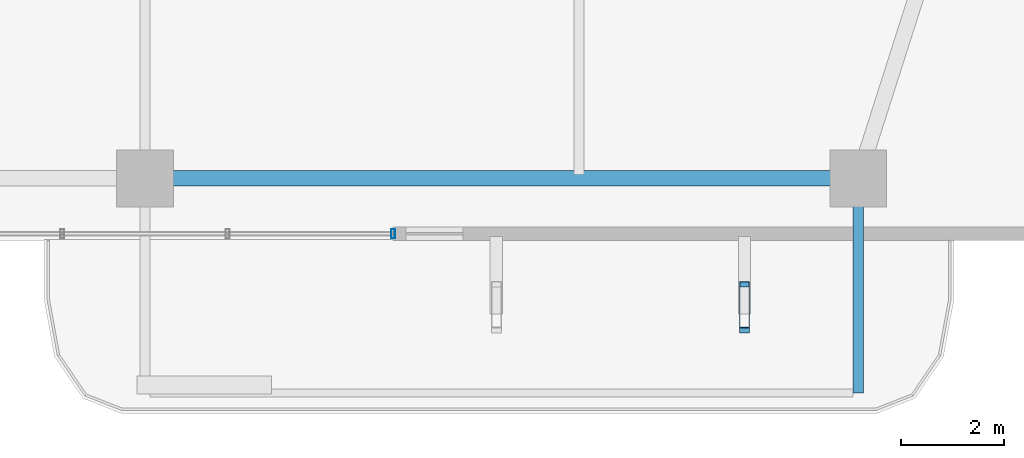
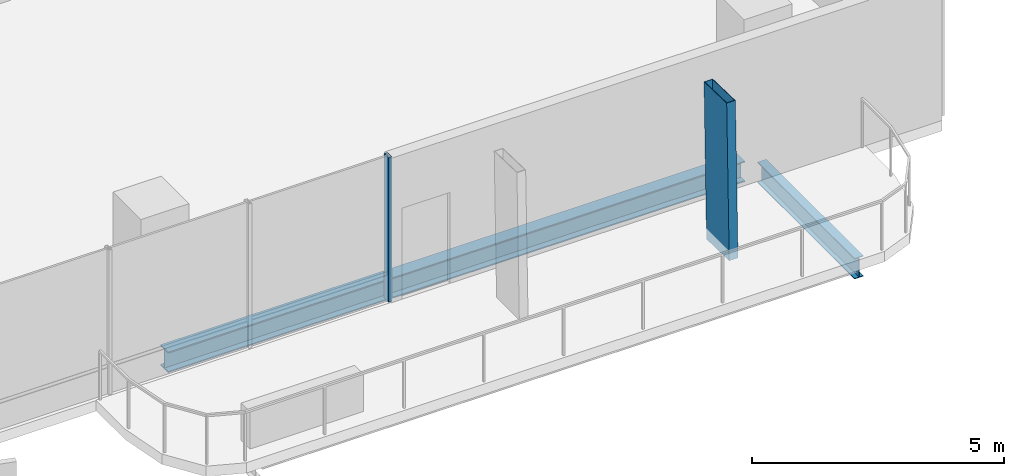
# One storey, part 8 of 23: 2 beams, 2 members, 1 element without a shape of its own.
"""IFC4 building model written with IfcOpenShell, lengths in metres."""

from ifc_helpers import new_model, si_unit, direction, frame, origin, origin_2d, place, context, subcontext, project, spatial, hollow_rectangle, i_section, extrude, material, layer, layer_set, material_profile, profile_set, type_object, element, aggregate, save


model = new_model("IFC4")

# Units and contexts
model_context = context("Model", 3, precision=1e-05, world=origin(), true_north=direction((0.0, 1.0)))
body_context = subcontext(model_context, "Body", "Model", "MODEL_VIEW")
ifc_project = project(units=[si_unit("LENGTHUNIT", "METRE"), si_unit("AREAUNIT", "SQUARE_METRE"), si_unit("VOLUMEUNIT", "CUBIC_METRE"), si_unit("PLANEANGLEUNIT", "RADIAN"), si_unit("MASSUNIT", "GRAM", prefix="KILO")], contexts=[model_context])

# Site, building, storey
site_placement = place(None, origin())
site = spatial("IfcSite", under=ifc_project, at=site_placement, CompositionType="ELEMENT")
building_placement = place(site_placement, origin())
building = spatial("IfcBuilding", under=site, at=building_placement, Name="Belovzor Exchange Tower", CompositionType="ELEMENT")
storey_placement = place(building_placement, frame((0.0, 0.0, 157.050048828125)))
storey = spatial("IfcBuildingStorey", under=building, at=storey_placement, Name="L38", CompositionType="ELEMENT", Elevation=157.050048828125)

# Beam
ifc_material_1 = material(Name="Steel S355", Category="steel")
ifc_material_profile_1 = material_profile(ifc_material_1, i_section(OverallWidth=0.199951171875, OverallDepth=0.5, WebThickness=0.01025390625, FlangeThickness=0.01611328125, at=origin_2d()))
ifc_profile_set_1 = profile_set([ifc_material_profile_1], Name="Steel S355")
beam_type_1 = type_object("IfcBeamType", Name="Planted Balcony Cantilever Beam IPE 500", PredefinedType="BEAM", material=ifc_profile_set_1)
beam_1_placement = place(storey_placement, frame((42.60009765625, 5.39697265625, -0.505126953125), z_axis=(0.0, -1.0, 0.0), x_axis=(1.0, 0.0, 0.0)))
element("IfcBeam", 1, at=beam_1_placement, inside=storey, type_object=beam_type_1, Name="BC-500 Planted Balcony Cantilever Beam IPE 500", PredefinedType="BEAM", context=body_context, shape_type="SweptSolid", body=[
    extrude(i_section(OverallWidth=0.199951171875, OverallDepth=0.5, WebThickness=0.01025390625, FlangeThickness=0.01611328125, at=origin_2d()), origin(), (0.0, 0.0, 1.0), 3.849853515625),
])

# Member
ifc_material_2 = material(Name="Extruded Architectural Terracotta on Steel S355 Carrier", Category="masonry")
ifc_material_profile_2 = material_profile(ifc_material_2, hollow_rectangle(XDim=0.199951171875, YDim=0.89990234375, WallThickness=0.011962890625, at=origin_2d()))
ifc_profile_set_2 = profile_set([ifc_material_profile_2], Name="Extruded Architectural Terracotta on Steel S355 Carrier")
member_type_1 = type_object("IfcMemberType", Name="Sweeping Terracotta Baguette Fin Assembly 1250", PredefinedType="USERDEFINED", material=ifc_profile_set_2)
member_1_placement = place(storey_placement, frame((40.39990234375, 3.156982421875, -0.255126953125), z_axis=(0.0, 0.027203470401, 0.999629917118), x_axis=(-1.0, 0.0, 0.0)))
element("IfcMember", 2, at=member_1_placement, inside=storey, type_object=member_type_1, Name="FIN-TC125 Terracotta Facade Fin L38 S4", ObjectType="FIN", PredefinedType="USERDEFINED", context=body_context, shape_type="SweptSolid", body=[
    extrude(hollow_rectangle(XDim=0.199951171875, YDim=0.89990234375, WallThickness=0.011962890625, at=origin_2d()), origin(), (0.0, 0.0, 1.0), 3.75146484375),
])

# Curtain wall, member
ifc_material_3 = material(Name="Anodised Aluminium Framing", Category="aluminium")
ifc_layer = layer(ifc_material_3, 0.179931640625)
ifc_layer_set = layer_set([ifc_layer], Name="Anodised Aluminium Framing")
curtain_wall_type = type_object("IfcCurtainWallType", Name="Recessed Loggia Low-Iron Triple-Glazed Curtain Wall", PredefinedType="NOTDEFINED", material=ifc_layer_set)
curtain_wall_placement = place(storey_placement, origin())
curtain_wall = element("IfcCurtainWall", 3, at=curtain_wall_placement, inside=storey, type_object=curtain_wall_type, Name="CW3 Recessed Loggia Low-Iron Triple-Glazed Curtain Wall L38", PredefinedType="NOTDEFINED")
ifc_material_4 = material(Name="Steel S355", Category="steel")
ifc_material_profile_3 = material_profile(ifc_material_4, hollow_rectangle(XDim=0.074951171875, YDim=0.179931640625, WallThickness=0.0048828125, at=origin_2d()))
ifc_profile_set_3 = profile_set([ifc_material_profile_3], Name="Steel S355")
member_type_2 = type_object("IfcMemberType", Name="Thermally Broken Curtain Wall Mullion 180x75", PredefinedType="MULLION", material=ifc_profile_set_3)
member_2_placement = place(storey_placement, frame((33.60009765625, 4.6298828125, 0.0), z_axis=(0.0, 0.0, 1.0), x_axis=(-1.0, 0.0, 0.0)))
member_2 = element("IfcMember", 4, at=member_2_placement, type_object=member_type_2, Name="CW-M180 Curtain Wall Mullion 1", PredefinedType="MULLION", context=body_context, shape_type="SweptSolid", body=[
    extrude(hollow_rectangle(XDim=0.074951171875, YDim=0.179931640625, WallThickness=0.0048828125, at=origin_2d()), origin(), (0.0, 0.0, 1.0), 3.494873046875),
])
aggregate(curtain_wall, [member_2])

# Beam
ifc_material_5 = material(Name="Steel S355", Category="steel")
ifc_material_profile_4 = material_profile(ifc_material_5, i_section(OverallWidth=0.300048828125, OverallDepth=0.5, WebThickness=0.014404296875, FlangeThickness=0.028076171875, at=origin_2d()))
ifc_profile_set_4 = profile_set([ifc_material_profile_4], Name="Steel S355")
beam_type_2 = type_object("IfcBeamType", Name="Zone 3 Waist Primary Girder HEB 500", PredefinedType="BEAM", material=ifc_profile_set_4)
beam_2_placement = place(storey_placement, frame((29.10205078125, 5.699951171875, -0.505126953125), z_axis=(1.0, 0.0, 0.0), x_axis=(0.0, 1.0, 0.0)))
element("IfcBeam", 5, at=beam_2_placement, inside=storey, type_object=beam_type_2, Name="FG-Z3 Zone 3 Waist Primary Girder HEB 500", PredefinedType="BEAM", context=body_context, shape_type="SweptSolid", body=[
    extrude(i_section(OverallWidth=0.300048828125, OverallDepth=0.5, WebThickness=0.014404296875, FlangeThickness=0.028076171875, at=origin_2d()), origin(), (0.0, 0.0, 1.0), 13.195068359375),
])

save(model, "model.ifc")
